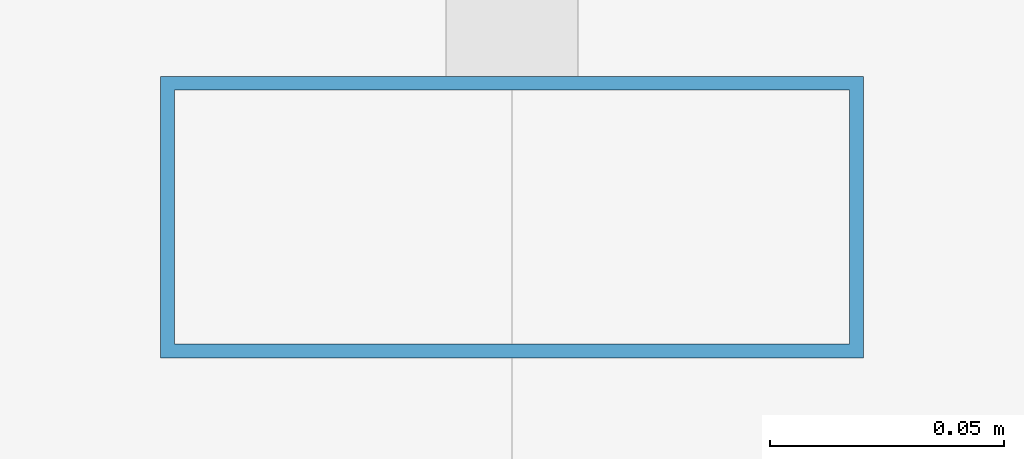
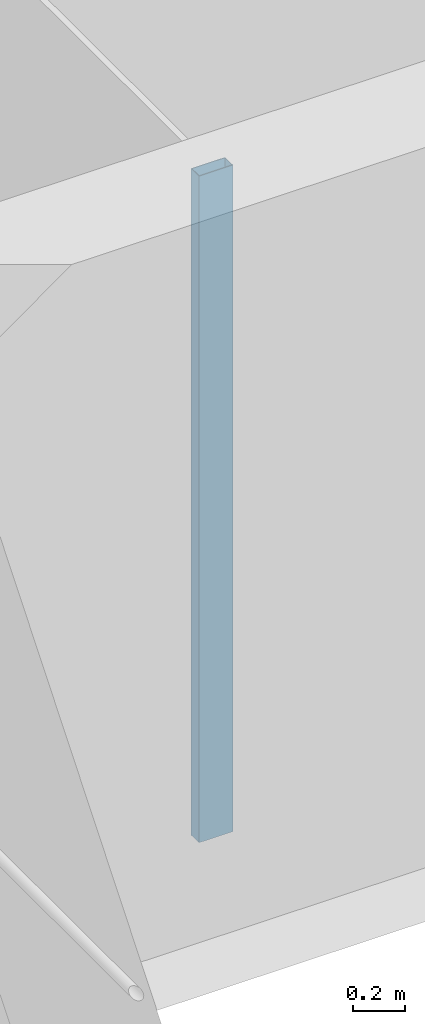
# One storey, part 11 of 30: 1 member, 1 element without a shape of its own.
"""IFC4 building model written with IfcOpenShell, lengths in metres."""

from ifc_helpers import new_model, si_unit, direction, frame, origin, origin_2d, place, context, subcontext, project, spatial, hollow_rectangle, extrude, material, material_profile, profile_set, type_object, element, aggregate, save


model = new_model("IFC4")

# Units and contexts
model_context = context("Model", 3, precision=1e-05, world=origin(), true_north=direction((0.0, 1.0)))
body_context = subcontext(model_context, "Body", "Model", "MODEL_VIEW")
ifc_project = project(units=[si_unit("LENGTHUNIT", "METRE"), si_unit("AREAUNIT", "SQUARE_METRE"), si_unit("VOLUMEUNIT", "CUBIC_METRE"), si_unit("PLANEANGLEUNIT", "RADIAN"), si_unit("MASSUNIT", "GRAM", prefix="KILO")], contexts=[model_context])

# Site, building, storey
site_placement = place(None, origin())
site = spatial("IfcSite", under=ifc_project, at=site_placement, CompositionType="ELEMENT")
building_placement = place(site_placement, origin())
building = spatial("IfcBuilding", under=site, at=building_placement, Name="Altepetl Exchange Towers", CompositionType="ELEMENT")
storey_placement = place(building_placement, frame((0.0, 0.0, 235.199951171875)))
storey = spatial("IfcBuildingStorey", under=building, at=storey_placement, Name="L60", CompositionType="ELEMENT", Elevation=235.199951171875)

# Curtain wall, member
ifc_material_1 = material(Name="Aluminium 6063-T6 glazing", Category="aluminium")
curtain_wall_type = type_object("IfcCurtainWallType", Name="Loggia glazing system", PredefinedType="NOTDEFINED", material=ifc_material_1)
curtain_wall_placement = place(storey_placement, origin())
curtain_wall = element("IfcCurtainWall", 1, at=curtain_wall_placement, inside=storey, type_object=curtain_wall_type, Name="CW1 run", PredefinedType="NOTDEFINED")
ifc_material_2 = material(Name="Aluminium 6063-T6", Category="aluminium")
ifc_material_profile = material_profile(ifc_material_2, hollow_rectangle(XDim=0.06005859375, YDim=0.14990234375, WallThickness=0.0029296875, at=origin_2d()), Name="Mullion 60x150 aluminium")
ifc_profile_set = profile_set([ifc_material_profile], Name="Aluminium 6063-T6")
member_type = type_object("IfcMemberType", Name="Mullion 60x150 aluminium", PredefinedType="MULLION", material=ifc_profile_set)
member_placement = place(storey_placement, frame((42.5, 58.60498046875, 0.0), z_axis=(0.0, 0.0, 1.0), x_axis=(0.0, -1.0, 0.0)))
member = element("IfcMember", 2, at=member_placement, type_object=member_type, Name="MU1 mullion", PredefinedType="MULLION", context=body_context, shape_type="SweptSolid", body=[
    extrude(hollow_rectangle(XDim=0.06005859375, YDim=0.14990234375, WallThickness=0.0029296875, at=origin_2d()), origin(), (0.0, 0.0, 1.0), 3.10009765625),
])
aggregate(curtain_wall, [member])

save(model, "model.ifc")
